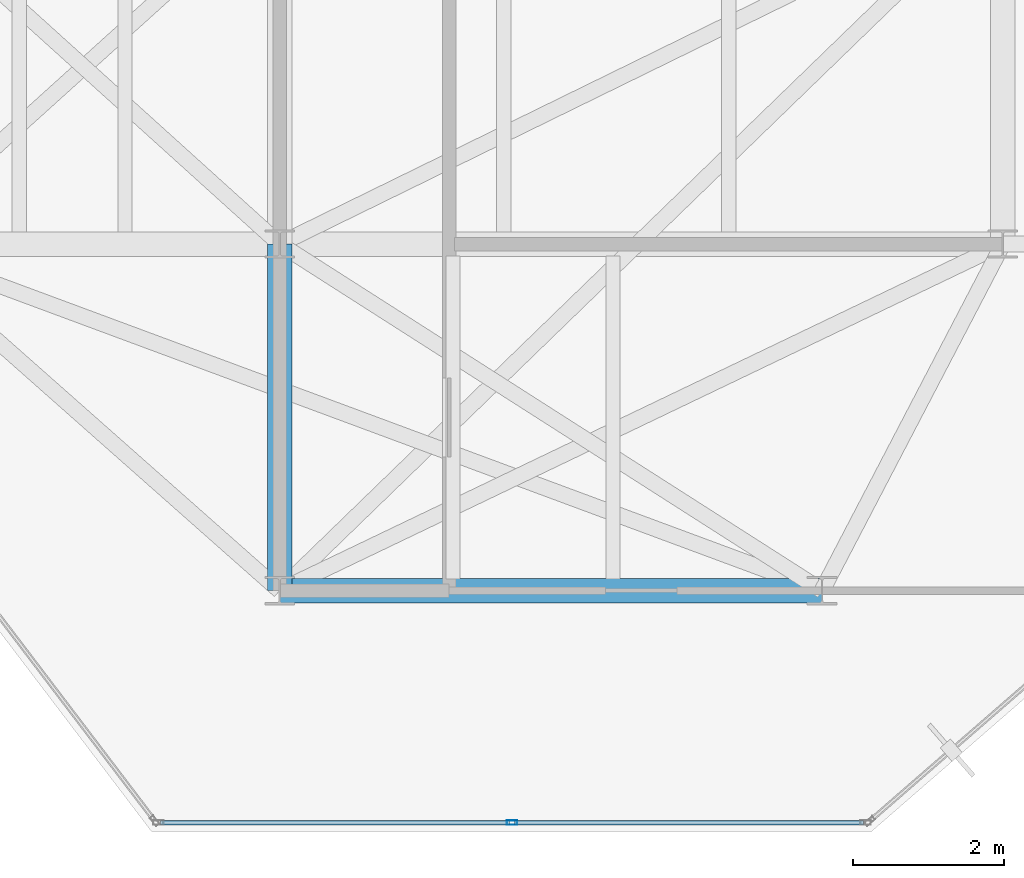
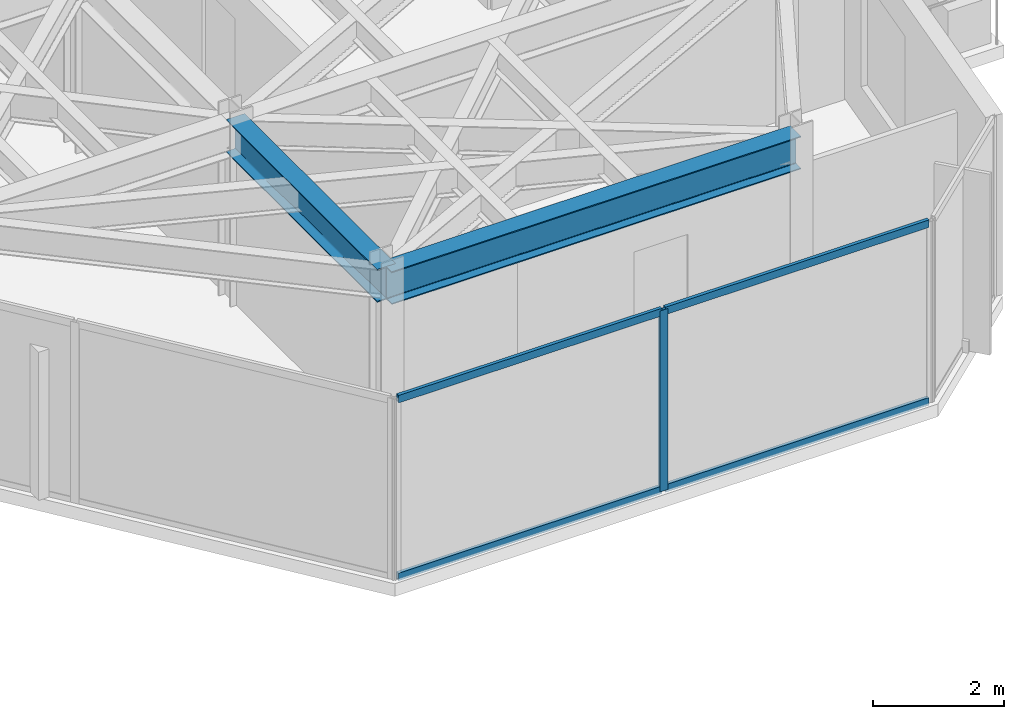
# One storey, part 6 of 17: 5 members, 2 beams, 1 element without a shape of its own.
"""IFC4 building model written with IfcOpenShell, lengths in metres."""

from ifc_helpers import new_model, si_unit, direction, frame, origin, origin_2d, place, context, subcontext, project, spatial, hollow_rectangle, i_section, extrude, material, layer, layer_set, material_profile, profile_set, type_object, element, aggregate, save


model = new_model("IFC4")

# Units and contexts
model_context = context("Model", 3, precision=1e-05, world=origin(), true_north=direction((0.0, 1.0)))
body_context = subcontext(model_context, "Body", "Model", "MODEL_VIEW")
ifc_project = project(units=[si_unit("LENGTHUNIT", "METRE"), si_unit("AREAUNIT", "SQUARE_METRE"), si_unit("VOLUMEUNIT", "CUBIC_METRE"), si_unit("PLANEANGLEUNIT", "RADIAN"), si_unit("MASSUNIT", "GRAM", prefix="KILO")], contexts=[model_context])

# Site, building, storey
site_placement = place(None, origin())
site = spatial("IfcSite", under=ifc_project, at=site_placement, CompositionType="ELEMENT")
building_placement = place(site_placement, origin())
building = spatial("IfcBuilding", under=site, at=building_placement, Name="Kravanh Interchange Tower", CompositionType="ELEMENT")
storey_placement = place(building_placement, frame((0.0, 0.0, 282.300048828125)))
storey = spatial("IfcBuildingStorey", under=building, at=storey_placement, Name="L69", CompositionType="ELEMENT", Elevation=282.300048828125)

# Curtain wall, members
ifc_material_1 = material(Name="Anodised Bronze Aluminium", Category="aluminium")
ifc_layer = layer(ifc_material_1, 0.179931640625)
ifc_layer_set = layer_set([ifc_layer], Name="Unitised Curtain Wall System CW-HTL Luxury Hotel")
curtain_wall_type = type_object("IfcCurtainWallType", Name="Unitised Curtain Wall System CW-HTL Luxury Hotel", PredefinedType="NOTDEFINED", material=ifc_layer_set)
curtain_wall_placement = place(storey_placement, origin())
curtain_wall = element("IfcCurtainWall", 1, at=curtain_wall_placement, inside=storey, type_object=curtain_wall_type, Name="L69 Unitised Curtain Wall CW-L69-03", PredefinedType="NOTDEFINED")
ifc_material_2 = material(Name="Anodised Bronze Aluminium", Category="aluminium")
ifc_material_profile_1 = material_profile(ifc_material_2, hollow_rectangle(XDim=0.06005859375, YDim=0.139892578125, WallThickness=0.00390625, at=origin_2d()), Name="ALU60X140X4")
ifc_profile_set_1 = profile_set([ifc_material_profile_1], Name="Anodised Bronze Aluminium")
member_type_1 = type_object("IfcMemberType", Name="Curtain Wall Mullion ALU60X140X4 Bronze", PredefinedType="MULLION", material=ifc_profile_set_1)
member_1_placement = place(storey_placement, frame((59.084228515625, 19.1201171875, 0.0), z_axis=(0.0, 0.0, 1.0), x_axis=(0.0, -1.0, 0.0)))
member_1 = element("IfcMember", 2, at=member_1_placement, type_object=member_type_1, Name="CW-HTL mullion 2", PredefinedType="MULLION", context=body_context, shape_type="SweptSolid", body=[
    extrude(hollow_rectangle(XDim=0.06005859375, YDim=0.139892578125, WallThickness=0.00390625, at=origin_2d()), origin(), (0.0, 0.0, 1.0), 3.364990234375),
])
ifc_material_3 = material(Name="Anodised Bronze Aluminium", Category="aluminium")
ifc_material_profile_2 = material_profile(ifc_material_3, hollow_rectangle(XDim=0.06005859375, YDim=0.139892578125, WallThickness=0.00390625, at=origin_2d()), Name="ALU60X140X4")
ifc_profile_set_2 = profile_set([ifc_material_profile_2], Name="Anodised Bronze Aluminium")
member_type_2 = type_object("IfcMemberType", Name="Curtain Wall Transom ALU60X140X4 Bronze", PredefinedType="USERDEFINED", material=ifc_profile_set_2)
member_2_placement = place(storey_placement, frame((63.7490234375, 19.1201171875, 0.030029296875), z_axis=(-1.0, 0.0, 0.0), x_axis=(0.0, -1.0, 0.0)))
member_2 = element("IfcMember", 3, at=member_2_placement, type_object=member_type_2, Name="CW-HTL transom 1.1", ObjectType="TRANSOM", PredefinedType="USERDEFINED", context=body_context, shape_type="SweptSolid", body=[
    extrude(hollow_rectangle(XDim=0.06005859375, YDim=0.139892578125, WallThickness=0.00390625, at=origin_2d()), origin(), (0.0, 0.0, 1.0), 4.634765625),
])
member_3_placement = place(storey_placement, frame((63.7490234375, 19.1201171875, 3.3349609375), z_axis=(-1.0, 0.0, 0.0), x_axis=(0.0, -1.0, 0.0)))
member_3 = element("IfcMember", 4, at=member_3_placement, type_object=member_type_2, Name="CW-HTL transom 1.2", ObjectType="TRANSOM", PredefinedType="USERDEFINED", context=body_context, shape_type="SweptSolid", body=[
    extrude(hollow_rectangle(XDim=0.06005859375, YDim=0.139892578125, WallThickness=0.00390625, at=origin_2d()), origin(), (0.0, 0.0, 1.0), 4.634765625),
])
member_4_placement = place(storey_placement, frame((59.05419921875, 19.1201171875, 0.030029296875), z_axis=(-1.0, 0.0, 0.0), x_axis=(0.0, -1.0, 0.0)))
member_4 = element("IfcMember", 5, at=member_4_placement, type_object=member_type_2, Name="CW-HTL transom 2.1", ObjectType="TRANSOM", PredefinedType="USERDEFINED", context=body_context, shape_type="SweptSolid", body=[
    extrude(hollow_rectangle(XDim=0.06005859375, YDim=0.139892578125, WallThickness=0.00390625, at=origin_2d()), origin(), (0.0, 0.0, 1.0), 4.634765625),
])
member_5_placement = place(storey_placement, frame((59.05419921875, 19.1201171875, 3.3349609375), z_axis=(-1.0, 0.0, 0.0), x_axis=(0.0, -1.0, 0.0)))
member_5 = element("IfcMember", 6, at=member_5_placement, type_object=member_type_2, Name="CW-HTL transom 2.2", ObjectType="TRANSOM", PredefinedType="USERDEFINED", context=body_context, shape_type="SweptSolid", body=[
    extrude(hollow_rectangle(XDim=0.06005859375, YDim=0.139892578125, WallThickness=0.00390625, at=origin_2d()), origin(), (0.0, 0.0, 1.0), 4.634765625),
])
aggregate(curtain_wall, [member_1, member_2, member_3, member_4, member_5])

# Beams
ifc_material_4 = material(Name="Structural Steel S355", Category="steel")
ifc_material_profile_3 = material_profile(ifc_material_4, i_section(OverallWidth=0.323974609375, OverallDepth=0.611083984375, WebThickness=0.0126953125, FlangeThickness=0.01904296875, FilletRadius=0.02197265625, at=origin_2d()), Name="W24X104")
ifc_profile_set_3 = profile_set([ifc_material_profile_3], Name="Structural Steel S355")
beam_type = type_object("IfcBeamType", Name="Floor Beam W24X104 Structural Steel S355", PredefinedType="BEAM", material=ifc_profile_set_3)
beam_1_placement = place(storey_placement, frame((56.0, 26.800048828125, 3.0595703125), z_axis=(0.0, -1.0, 0.0), x_axis=(1.0, 0.0, 0.0)))
element("IfcBeam", 7, at=beam_1_placement, inside=storey, type_object=beam_type, Name="L69 Primary Floor Girder 28", PredefinedType="BEAM", context=body_context, shape_type="SweptSolid", body=[
    extrude(i_section(OverallWidth=0.323974609375, OverallDepth=0.611083984375, WebThickness=0.0126953125, FlangeThickness=0.01904296875, FilletRadius=0.02197265625, at=origin_2d()), origin(), (0.0, 0.0, 1.0), 4.60009765625),
])
beam_2_placement = place(storey_placement, frame((56.0, 22.199951171875, 3.0595703125), z_axis=(1.0, 0.0, 0.0), x_axis=(0.0, 1.0, 0.0)))
element("IfcBeam", 8, at=beam_2_placement, inside=storey, type_object=beam_type, Name="L69 Primary Floor Girder 33", PredefinedType="BEAM", context=body_context, shape_type="SweptSolid", body=[
    extrude(i_section(OverallWidth=0.323974609375, OverallDepth=0.611083984375, WebThickness=0.0126953125, FlangeThickness=0.01904296875, FilletRadius=0.02197265625, at=origin_2d()), origin(), (0.0, 0.0, 1.0), 7.199951171875),
])

save(model, "model.ifc")
